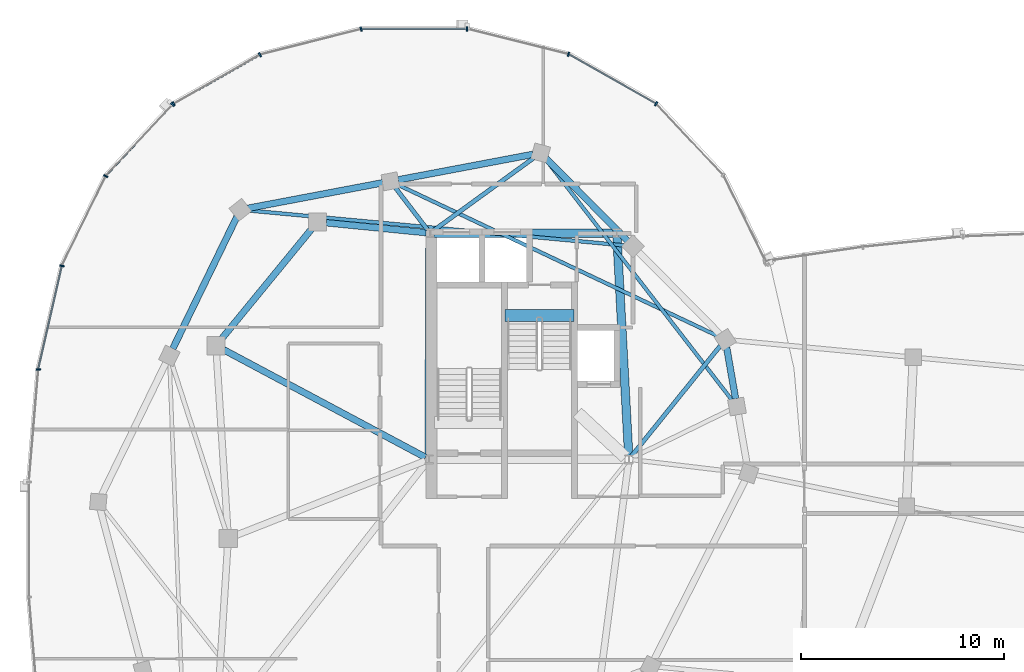
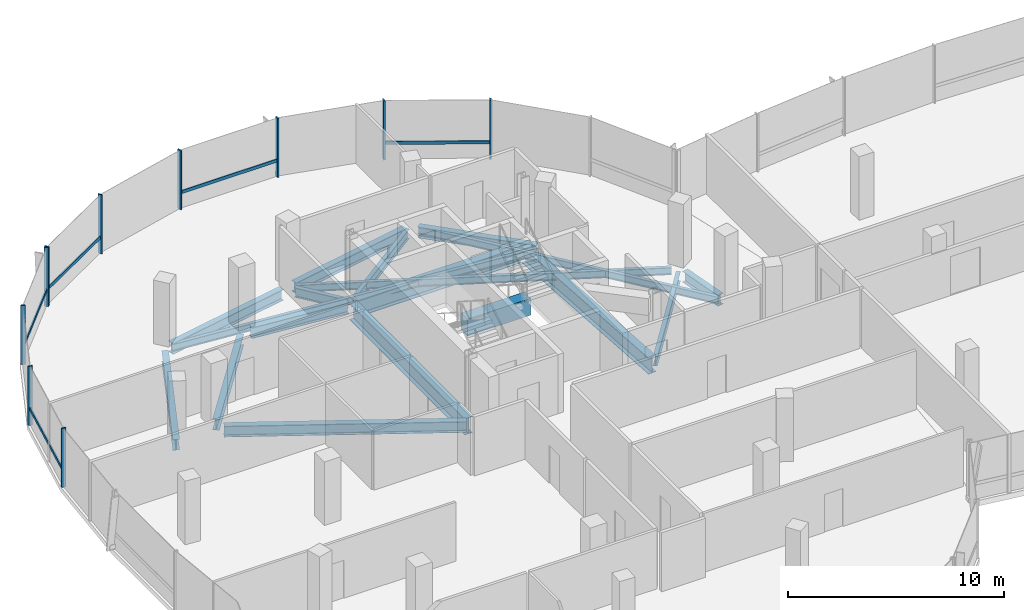
# One storey, part 6 of 25: 18 beams, 15 members, 2 elements without a shape of their own.
"""IFC4 building model written with IfcOpenShell, lengths in metres."""

from ifc_helpers import new_model, si_unit, direction, frame, origin, origin_2d, place, context, subcontext, project, spatial, rectangle, i_section, extrude, material, material_profile, profile_set, type_object, element, aggregate, save


model = new_model("IFC4")

# Units and contexts
model_context = context("Model", 3, precision=1e-05, world=origin(), true_north=direction((0.0, 1.0)))
body_context = subcontext(model_context, "Body", "Model", "MODEL_VIEW")
ifc_project = project(units=[si_unit("LENGTHUNIT", "METRE"), si_unit("AREAUNIT", "SQUARE_METRE"), si_unit("VOLUMEUNIT", "CUBIC_METRE"), si_unit("PLANEANGLEUNIT", "RADIAN"), si_unit("MASSUNIT", "GRAM", prefix="KILO"), si_unit("THERMODYNAMICTEMPERATUREUNIT", "KELVIN"), si_unit("POWERUNIT", "WATT")], contexts=[model_context])

# Site, building, storey
site_placement = place(None, origin())
site = spatial("IfcSite", under=ifc_project, at=site_placement, CompositionType="ELEMENT")
building_placement = place(site_placement, origin())
building = spatial("IfcBuilding", under=site, at=building_placement, Name="Cundina Bronze Exchange", CompositionType="ELEMENT")
storey_placement = place(building_placement, frame((0.0, 0.0, 250.39990234375)))
storey = spatial("IfcBuildingStorey", under=building, at=storey_placement, Name="L66", CompositionType="ELEMENT", Elevation=250.39990234375)

# Beams
ifc_material_1 = material(Name="Concrete C60/75", Category="concrete")
ifc_material_profile_1 = material_profile(ifc_material_1, rectangle(XDim=0.60009765625, YDim=0.949951171875, at=origin_2d()), Name="RC600X950", Category="concrete")
ifc_profile_set_1 = profile_set([ifc_material_profile_1], Name="Concrete C60/75")
beam_type_1 = type_object("IfcBeamType", Name="BM-COUP-RC950", PredefinedType="LINTEL", material=ifc_profile_set_1)
beam_1_placement = place(storey_placement, frame((-27.56005859375, 10.97998046875, -0.474853515625), z_axis=(1.0, 0.0, 0.0), x_axis=(0.0, 1.0, 0.0)))
element("IfcBeam", 1, at=beam_1_placement, inside=storey, type_object=beam_type_1, Name="L66 Stair W2 Landing Header Beam", PredefinedType="LINTEL", context=body_context, shape_type="SweptSolid", body=[
    extrude(rectangle(XDim=0.60009765625, YDim=0.949951171875, at=origin_2d()), origin(), (0.0, 0.0, 1.0), 3.400146484375),
])
ifc_material_2 = material(Name="Steel ASTM A992 Grade 50", Category="steel")
ifc_material_profile_2 = material_profile(ifc_material_2, i_section(OverallWidth=0.2119140625, OverallDepth=0.5439453125, WebThickness=0.01318359375, FlangeThickness=0.021240234375, FilletRadius=0.013916015625, at=origin_2d()), Name="W21X83", Category="steel")
ifc_profile_set_2 = profile_set([ifc_material_profile_2], Name="Steel ASTM A992 Grade 50")
beam_type_2 = type_object("IfcBeamType", Name="BM-FLR-W21A", PredefinedType="BEAM", material=ifc_profile_set_2)
beam_2_placement = place(storey_placement, frame((-21.3271484375, 4.052734375, -0.531982421875), z_axis=(0.627111236784, 0.778929712297, 0.0), x_axis=(-0.778929712297, 0.627111236784, 0.0)))
element("IfcBeam", 2, at=beam_2_placement, inside=storey, type_object=beam_type_2, Name="L66 Leg W Radial Floor Beam 02", PredefinedType="BEAM", context=body_context, shape_type="SweptSolid", body=[
    extrude(i_section(OverallWidth=0.2119140625, OverallDepth=0.5439453125, WebThickness=0.01318359375, FlangeThickness=0.021240234375, FilletRadius=0.013916015625, at=origin_2d()), origin(), (0.0, 0.0, 1.0), 6.990478515625),
])
beam_3_placement = place(storey_placement, frame((-31.09130859375, 15.1650390625, -0.531982421875), z_axis=(0.809701976545, 0.586841298119, 0.0), x_axis=(-0.586841298119, 0.809701976545, 0.0)))
element("IfcBeam", 3, at=beam_3_placement, inside=storey, type_object=beam_type_2, Name="L66 Leg W Radial Floor Beam 04", PredefinedType="BEAM", context=body_context, shape_type="SweptSolid", body=[
    extrude(i_section(OverallWidth=0.2119140625, OverallDepth=0.5439453125, WebThickness=0.01318359375, FlangeThickness=0.021240234375, FilletRadius=0.013916015625, at=origin_2d()), origin(), (0.0, 0.0, 1.0), 6.146728515625),
])
beam_4_placement = place(storey_placement, frame((-31.369140625, 15.205810546875, -0.531982421875), z_axis=(-0.607470812638, 0.794341999263, 0.0), x_axis=(-0.794341999263, -0.607470812638, 0.0)))
element("IfcBeam", 4, at=beam_4_placement, inside=storey, type_object=beam_type_2, Name="L66 Leg W Radial Floor Beam 05", PredefinedType="BEAM", context=body_context, shape_type="SweptSolid", body=[
    extrude(i_section(OverallWidth=0.2119140625, OverallDepth=0.5439453125, WebThickness=0.01318359375, FlangeThickness=0.021240234375, FilletRadius=0.013916015625, at=origin_2d()), origin(), (0.0, 0.0, 1.0), 2.6259765625),
])
ifc_material_profile_3 = material_profile(ifc_material_2, i_section(OverallWidth=0.178955078125, OverallDepth=0.409912109375, WebThickness=0.0087890625, FlangeThickness=0.014404296875, FilletRadius=0.010986328125, at=origin_2d()), Name="W16X45", Category="steel")
ifc_profile_set_3 = profile_set([ifc_material_profile_3], Name="Steel ASTM A992 Grade 50")
beam_type_3 = type_object("IfcBeamType", Name="BM-JST-W16", PredefinedType="JOIST", material=ifc_profile_set_3)
beam_5_placement = place(storey_placement, frame((-16.362548828125, 6.806884765625, -0.46484375), z_axis=(-0.612077855816, 0.790797507849, 0.0), x_axis=(-0.790797507849, -0.612077855816, 0.0)))
element("IfcBeam", 5, at=beam_5_placement, inside=storey, type_object=beam_type_3, Name="L66 Leg W Lobe Floor Joist 01-04", PredefinedType="JOIST", context=body_context, shape_type="SweptSolid", body=[
    extrude(i_section(OverallWidth=0.178955078125, OverallDepth=0.409912109375, WebThickness=0.0087890625, FlangeThickness=0.014404296875, FilletRadius=0.010986328125, at=origin_2d()), origin(), (0.0, 0.0, 1.0), 15.03076171875),
])
beam_6_placement = place(storey_placement, frame((-17.05078125, 9.9658203125, -0.46484375), z_axis=(-0.904073247994, 0.427377540661, 0.0), x_axis=(-0.427377540661, -0.904073247994, 0.0)))
element("IfcBeam", 6, at=beam_6_placement, inside=storey, type_object=beam_type_3, Name="L66 Leg W Lobe Floor Joist 02-05", PredefinedType="JOIST", context=body_context, shape_type="SweptSolid", body=[
    extrude(i_section(OverallWidth=0.178955078125, OverallDepth=0.409912109375, WebThickness=0.0087890625, FlangeThickness=0.014404296875, FilletRadius=0.010986328125, at=origin_2d()), origin(), (0.0, 0.0, 1.0), 17.474609375),
])
beam_7_placement = place(storey_placement, frame((-21.63623046875, 14.435791015625, -0.46484375), z_axis=(-0.995700514338, 0.092630911398, 0.0), x_axis=(-0.092630911398, -0.995700514338, 0.0)))
element("IfcBeam", 7, at=beam_7_placement, inside=storey, type_object=beam_type_3, Name="L66 Leg W Lobe Floor Joist 03-06", PredefinedType="JOIST", context=body_context, shape_type="SweptSolid", body=[
    extrude(i_section(OverallWidth=0.178955078125, OverallDepth=0.409912109375, WebThickness=0.0087890625, FlangeThickness=0.014404296875, FilletRadius=0.010986328125, at=origin_2d()), origin(), (0.0, 0.0, 1.0), 18.65771484375),
])
ifc_material_profile_4 = material_profile(ifc_material_2, i_section(OverallWidth=0.324951171875, OverallDepth=0.615966796875, WebThickness=0.013916015625, FlangeThickness=0.021484375, FilletRadius=0.01611328125, at=origin_2d()), Name="W24X117", Category="steel")
ifc_profile_set_4 = profile_set([ifc_material_profile_4], Name="Steel ASTM A992 Grade 50")
beam_type_4 = type_object("IfcBeamType", Name="BM-RING-W24", PredefinedType="USERDEFINED", material=ifc_profile_set_4)
beam_8_placement = place(storey_placement, frame((-31.445068359375, 15.0693359375, -0.56787109375), z_axis=(-0.995123854478, 0.09863323096, 0.0), x_axis=(-0.09863323096, -0.995123854478, 0.0)))
element("IfcBeam", 8, at=beam_8_placement, inside=storey, type_object=beam_type_4, Name="L66 W Inner Structural Ring Girder 01", ObjectType="GIRDER", PredefinedType="USERDEFINED", context=body_context, shape_type="SweptSolid", body=[
    extrude(i_section(OverallWidth=0.324951171875, OverallDepth=0.615966796875, WebThickness=0.013916015625, FlangeThickness=0.021484375, FilletRadius=0.01611328125, at=origin_2d()), origin(), (0.0, 0.0, 1.0), 4.943115234375),
])
beam_9_placement = place(storey_placement, frame((-37.07763671875, 15.26123046875, -0.56787109375), z_axis=(-0.633912590175, -0.77340469873, 0.0), x_axis=(0.77340469873, -0.633912590175, 0.0)))
element("IfcBeam", 9, at=beam_9_placement, inside=storey, type_object=beam_type_4, Name="L66 W Inner Structural Ring Girder 02", ObjectType="GIRDER", PredefinedType="USERDEFINED", context=body_context, shape_type="SweptSolid", body=[
    extrude(i_section(OverallWidth=0.324951171875, OverallDepth=0.615966796875, WebThickness=0.013916015625, FlangeThickness=0.021484375, FilletRadius=0.01611328125, at=origin_2d()), origin(), (0.0, 0.0, 1.0), 7.01123046875),
])
beam_10_placement = place(storey_placement, frame((-31.472900390625, 3.9921875, -0.56787109375), z_axis=(-0.882350541683, 0.470592734317, 0.0), x_axis=(-0.470592734317, -0.882350541683, 0.0)))
element("IfcBeam", 10, at=beam_10_placement, inside=storey, type_object=beam_type_4, Name="L66 W Core-to-Waist Tie Beam 2", ObjectType="GIRDER", PredefinedType="USERDEFINED", context=body_context, shape_type="SweptSolid", body=[
    extrude(i_section(OverallWidth=0.324951171875, OverallDepth=0.615966796875, WebThickness=0.013916015625, FlangeThickness=0.021484375, FilletRadius=0.01611328125, at=origin_2d()), origin(), (0.0, 0.0, 1.0), 11.26611328125),
])
beam_11_placement = place(storey_placement, frame((-16.191650390625, 6.882080078125, -0.56787109375), z_axis=(-0.171593362587, 0.985167862811, 0.0), x_axis=(-0.985167862811, -0.171593362587, 0.0)))
element("IfcBeam", 11, at=beam_11_placement, inside=storey, type_object=beam_type_4, Name="L66 W Perimeter Ring Girder 01", ObjectType="GIRDER", PredefinedType="USERDEFINED", context=body_context, shape_type="SweptSolid", body=[
    extrude(i_section(OverallWidth=0.324951171875, OverallDepth=0.615966796875, WebThickness=0.013916015625, FlangeThickness=0.021484375, FilletRadius=0.01611328125, at=origin_2d()), origin(), (0.0, 0.0, 1.0), 2.57373046875),
])
beam_12_placement = place(storey_placement, frame((-21.52294921875, 14.67578125, -0.56787109375), z_axis=(-0.703215820204, 0.710976448425, 0.0), x_axis=(-0.710976448425, -0.703215820204, 0.0)))
element("IfcBeam", 12, at=beam_12_placement, inside=storey, type_object=beam_type_4, Name="L66 W Perimeter Ring Girder 03", ObjectType="GIRDER", PredefinedType="USERDEFINED", context=body_context, shape_type="SweptSolid", body=[
    extrude(i_section(OverallWidth=0.324951171875, OverallDepth=0.615966796875, WebThickness=0.013916015625, FlangeThickness=0.021484375, FilletRadius=0.01611328125, at=origin_2d()), origin(), (0.0, 0.0, 1.0), 5.694091796875),
])
beam_13_placement = place(storey_placement, frame((-26.18115234375, 18.927978515625, -0.56787109375), z_axis=(-0.982568104771, -0.185902984072, 0.0), x_axis=(0.185902984072, -0.982568104771, 0.0)))
element("IfcBeam", 13, at=beam_13_placement, inside=storey, type_object=beam_type_4, Name="L66 W Perimeter Ring Girder 04", ObjectType="GIRDER", PredefinedType="USERDEFINED", context=body_context, shape_type="SweptSolid", body=[
    extrude(i_section(OverallWidth=0.324951171875, OverallDepth=0.615966796875, WebThickness=0.013916015625, FlangeThickness=0.021484375, FilletRadius=0.01611328125, at=origin_2d()), origin(), (0.0, 0.0, 1.0), 6.75537109375),
])
beam_14_placement = place(storey_placement, frame((-33.581298828125, 17.52783203125, -0.56787109375), z_axis=(-0.982573456977, -0.185874693392, 0.0), x_axis=(0.185874693392, -0.982573456977, 0.0)))
element("IfcBeam", 14, at=beam_14_placement, inside=storey, type_object=beam_type_4, Name="L66 W Perimeter Ring Girder 05", ObjectType="GIRDER", PredefinedType="USERDEFINED", context=body_context, shape_type="SweptSolid", body=[
    extrude(i_section(OverallWidth=0.324951171875, OverallDepth=0.615966796875, WebThickness=0.013916015625, FlangeThickness=0.021484375, FilletRadius=0.01611328125, at=origin_2d()), origin(), (0.0, 0.0, 1.0), 6.755126953125),
])
beam_15_placement = place(storey_placement, frame((-40.76953125, 15.85107421875, -0.56787109375), z_axis=(-0.437216986791, -0.899356050995, 0.0), x_axis=(0.899356050995, -0.437216986791, 0.0)))
element("IfcBeam", 15, at=beam_15_placement, inside=storey, type_object=beam_type_4, Name="L66 W Perimeter Ring Girder 06", ObjectType="GIRDER", PredefinedType="USERDEFINED", context=body_context, shape_type="SweptSolid", body=[
    extrude(i_section(OverallWidth=0.324951171875, OverallDepth=0.615966796875, WebThickness=0.013916015625, FlangeThickness=0.021484375, FilletRadius=0.01611328125, at=origin_2d()), origin(), (0.0, 0.0, 1.0), 7.2294921875),
])
ifc_material_profile_5 = material_profile(ifc_material_2, i_section(OverallWidth=0.41796875, OverallDepth=0.927001953125, WebThickness=0.019287109375, FlangeThickness=0.031982421875, FilletRadius=0.02392578125, at=origin_2d()), Name="W36X231", Category="steel")
ifc_profile_set_5 = profile_set([ifc_material_profile_5], Name="Steel ASTM A992 Grade 50")
beam_type_5 = type_object("IfcBeamType", Name="BM-WRN-W36B", PredefinedType="USERDEFINED", material=ifc_profile_set_5)
beam_16_placement = place(storey_placement, frame((-21.46044921875, 4.095703125, -0.723388671875), z_axis=(-0.053749317644, 0.998554460634, 0.0), x_axis=(-0.998554460634, -0.053749317644, 0.0)))
element("IfcBeam", 16, at=beam_16_placement, inside=storey, type_object=beam_type_5, Name="L66 W Core Perimeter Tie Girder 2", ObjectType="GIRDER", PredefinedType="USERDEFINED", context=body_context, shape_type="SweptSolid", body=[
    extrude(i_section(OverallWidth=0.41796875, OverallDepth=0.927001953125, WebThickness=0.019287109375, FlangeThickness=0.031982421875, FilletRadius=0.02392578125, at=origin_2d()), origin(), (0.0, 0.0, 1.0), 10.774169921875),
])
beam_17_placement = place(storey_placement, frame((-22.24609375, 15.050048828125, -0.723388671875), z_axis=(-1.0, 0.0, 0.0), x_axis=(0.0, -1.0, 0.0)))
element("IfcBeam", 17, at=beam_17_placement, inside=storey, type_object=beam_type_5, Name="L66 W Core Perimeter Tie Girder 3", ObjectType="GIRDER", PredefinedType="USERDEFINED", context=body_context, shape_type="SweptSolid", body=[
    extrude(i_section(OverallWidth=0.41796875, OverallDepth=0.927001953125, WebThickness=0.019287109375, FlangeThickness=0.031982421875, FilletRadius=0.02392578125, at=origin_2d()), origin(), (0.0, 0.0, 1.0), 8.807861328125),
])
beam_18_placement = place(storey_placement, frame((-31.2509765625, 14.85400390625, -0.723388671875), z_axis=(-0.004470623654, -0.999990006712, 0.0), x_axis=(0.999990006712, -0.004470623654, 0.0)))
element("IfcBeam", 18, at=beam_18_placement, inside=storey, type_object=beam_type_5, Name="L66 W Core Perimeter Tie Girder 4", ObjectType="GIRDER", PredefinedType="USERDEFINED", context=body_context, shape_type="SweptSolid", body=[
    extrude(i_section(OverallWidth=0.41796875, OverallDepth=0.927001953125, WebThickness=0.019287109375, FlangeThickness=0.031982421875, FilletRadius=0.02392578125, at=origin_2d()), origin(), (0.0, 0.0, 1.0), 10.758056640625),
])

# Curtain wall, members
ifc_material_3 = material(Name="Anodised Bronze Aluminium 6063-T6", Category="aluminium")
curtain_wall_type = type_object("IfcCurtainWallType", Name="CWS-SKG-BRG", PredefinedType="NOTDEFINED", material=ifc_material_3)
curtain_wall_1_placement = place(storey_placement, origin())
curtain_wall_1 = element("IfcCurtainWall", 19, at=curtain_wall_1_placement, inside=storey, type_object=curtain_wall_type, Name="L66 CW-06 Curtain Wall Run CWR-L66-W1", PredefinedType="NOTDEFINED")
ifc_material_profile_6 = material_profile(ifc_material_3, rectangle(XDim=0.074951171875, YDim=0.219970703125, at=origin_2d()), Name="AL75X220", Category="aluminium")
ifc_profile_set_6 = profile_set([ifc_material_profile_6], Name="Anodised Bronze Aluminium 6063-T6")
member_type_1 = type_object("IfcMemberType", Name="CWM-MUL-220", PredefinedType="MULLION", material=ifc_profile_set_6)
member_1_placement = place(storey_placement, frame((-20.11083984375, 21.419921875, 0.0), z_axis=(0.0, 0.0, 1.0), x_axis=(-0.86958112538, 0.493790103568, 0.0)))
member_1 = element("IfcMember", 20, at=member_1_placement, type_object=member_type_1, Name="CW-06 Mullion 3", PredefinedType="MULLION", context=body_context, shape_type="SweptSolid", body=[
    extrude(rectangle(XDim=0.074951171875, YDim=0.219970703125, at=origin_2d()), origin(), (0.0, 0.0, 1.0), 3.340087890625),
])
member_2_placement = place(storey_placement, frame((-24.4296875, 23.86181640625, 0.0), z_axis=(0.0, 0.0, 1.0), x_axis=(-0.969744325821, 0.244122802168, 0.0)))
member_2 = element("IfcMember", 21, at=member_2_placement, type_object=member_type_1, Name="CW-06 Mullion 4", PredefinedType="MULLION", context=body_context, shape_type="SweptSolid", body=[
    extrude(rectangle(XDim=0.074951171875, YDim=0.219970703125, at=origin_2d()), origin(), (0.0, 0.0, 1.0), 3.340087890625),
])
member_3_placement = place(storey_placement, frame((-29.423583984375, 25.110107421875, 0.0), z_axis=(0.0, 0.0, 1.0), x_axis=(-1.0, 0.0, 0.0)))
member_3 = element("IfcMember", 22, at=member_3_placement, type_object=member_type_1, Name="CW-06 Mullion 5", PredefinedType="MULLION", context=body_context, shape_type="SweptSolid", body=[
    extrude(rectangle(XDim=0.074951171875, YDim=0.219970703125, at=origin_2d()), origin(), (0.0, 0.0, 1.0), 3.340087890625),
])
member_4_placement = place(storey_placement, frame((-34.648193359375, 25.10107421875, 0.0), z_axis=(0.0, 0.0, 1.0), x_axis=(-0.969744325821, -0.244122802168, 0.0)))
member_4 = element("IfcMember", 23, at=member_4_placement, type_object=member_type_1, Name="CW-06 Mullion 6", PredefinedType="MULLION", context=body_context, shape_type="SweptSolid", body=[
    extrude(rectangle(XDim=0.074951171875, YDim=0.219970703125, at=origin_2d()), origin(), (0.0, 0.0, 1.0), 3.340087890625),
])
member_5_placement = place(storey_placement, frame((-39.634521484375, 23.8359375, 0.0), z_axis=(0.0, 0.0, 1.0), x_axis=(-0.86958112538, -0.493790103568, 0.0)))
member_5 = element("IfcMember", 24, at=member_5_placement, type_object=member_type_1, Name="CW-06 Mullion 7", PredefinedType="MULLION", context=body_context, shape_type="SweptSolid", body=[
    extrude(rectangle(XDim=0.074951171875, YDim=0.219970703125, at=origin_2d()), origin(), (0.0, 0.0, 1.0), 3.340087890625),
])
member_6_placement = place(storey_placement, frame((-43.88916015625, 21.419921875, 0.0), z_axis=(0.0, 0.0, 1.0), x_axis=(-0.86958112538, -0.493790103568, 0.0)))
member_6 = element("IfcMember", 25, at=member_6_placement, type_object=member_type_1, Name="CW-06 End Mullion", PredefinedType="MULLION", context=body_context, shape_type="SweptSolid", body=[
    extrude(rectangle(XDim=0.074951171875, YDim=0.219970703125, at=origin_2d()), origin(), (0.0, 0.0, 1.0), 3.340087890625),
])

curtain_wall_2_placement = place(storey_placement, origin())
curtain_wall_2 = element("IfcCurtainWall", 26, at=curtain_wall_2_placement, inside=storey, type_object=curtain_wall_type, Name="L66 CW-06 Curtain Wall Run CWR-L66-W2", PredefinedType="NOTDEFINED")
member_7_placement = place(storey_placement, frame((-43.940185546875, 21.3798828125, 0.0), z_axis=(0.0, 0.0, 1.0), x_axis=(-0.684292606175, -0.729207535023, 0.0)))
member_7 = element("IfcMember", 27, at=member_7_placement, type_object=member_type_1, Name="CW-06 Mullion 1", PredefinedType="MULLION", context=body_context, shape_type="SweptSolid", body=[
    extrude(rectangle(XDim=0.074951171875, YDim=0.219970703125, at=origin_2d()), origin(), (0.0, 0.0, 1.0), 3.340087890625),
])
member_8_placement = place(storey_placement, frame((-47.2333984375, 17.856689453125, 0.0), z_axis=(0.0, 0.0, 1.0), x_axis=(-0.440566004113, -0.897720221461, 0.0)))
member_8 = element("IfcMember", 28, at=member_8_placement, type_object=member_type_1, Name="CW-06 Mullion 2", PredefinedType="MULLION", context=body_context, shape_type="SweptSolid", body=[
    extrude(rectangle(XDim=0.074951171875, YDim=0.219970703125, at=origin_2d()), origin(), (0.0, 0.0, 1.0), 3.340087890625),
])
member_9_placement = place(storey_placement, frame((-49.39404296875, 13.433837890625, 0.0), z_axis=(0.0, 0.0, 1.0), x_axis=(-0.223250116011, -0.974761194191, 0.0)))
member_9 = element("IfcMember", 29, at=member_9_placement, type_object=member_type_1, Name="CW-06 Mullion 3", PredefinedType="MULLION", context=body_context, shape_type="SweptSolid", body=[
    extrude(rectangle(XDim=0.074951171875, YDim=0.219970703125, at=origin_2d()), origin(), (0.0, 0.0, 1.0), 3.340087890625),
])
member_10_placement = place(storey_placement, frame((-50.557861328125, 8.32568359375, 0.0), z_axis=(0.0, 0.0, 1.0), x_axis=(-0.083677843332, -0.99649285925, 0.0)))
member_10 = element("IfcMember", 30, at=member_10_placement, type_object=member_type_1, Name="CW-06 Mullion 4", PredefinedType="MULLION", context=body_context, shape_type="SweptSolid", body=[
    extrude(rectangle(XDim=0.074951171875, YDim=0.219970703125, at=origin_2d()), origin(), (0.0, 0.0, 1.0), 3.340087890625),
])

# Member
ifc_material_profile_7 = material_profile(ifc_material_3, rectangle(XDim=0.070068359375, YDim=0.179931640625, at=origin_2d()), Name="AL70X180", Category="aluminium")
ifc_profile_set_7 = profile_set([ifc_material_profile_7], Name="Anodised Bronze Aluminium 6063-T6")
member_type_2 = type_object("IfcMemberType", Name="CWM-TRN-180", PredefinedType="USERDEFINED", material=ifc_profile_set_7)
member_11_placement = place(storey_placement, frame((-20.146728515625, 21.440185546875, 0.920166015625), z_axis=(-0.869557366176, 0.493831941989, 0.0), x_axis=(-0.493831941989, -0.869557366176, 0.0)))
member_11 = element("IfcMember", 31, at=member_11_placement, type_object=member_type_2, Name="CW-06 Spandrel Transom 3", ObjectType="TRANSOM", PredefinedType="USERDEFINED", context=body_context, shape_type="SweptSolid", body=[
    extrude(rectangle(XDim=0.070068359375, YDim=0.179931640625, at=origin_2d()), origin(), (0.0, 0.0, 1.0), 4.892822265625),
])

member_12_placement = place(storey_placement, frame((-29.464599609375, 25.110107421875, 0.920166015625), z_axis=(-1.0, 0.0, 0.0), x_axis=(0.0, -1.0, 0.0)))
member_12 = element("IfcMember", 32, at=member_12_placement, type_object=member_type_2, Name="CW-06 Spandrel Transom 5", ObjectType="TRANSOM", PredefinedType="USERDEFINED", context=body_context, shape_type="SweptSolid", body=[
    extrude(rectangle(XDim=0.070068359375, YDim=0.179931640625, at=origin_2d()), origin(), (0.0, 0.0, 1.0), 5.1533203125),
])

member_13_placement = place(storey_placement, frame((-39.67041015625, 23.815673828125, 0.920166015625), z_axis=(-0.869558105282, -0.493830640542, 0.0), x_axis=(0.493830640542, -0.869558105282, 0.0)))
member_13 = element("IfcMember", 33, at=member_13_placement, type_object=member_type_2, Name="CW-06 Spandrel Transom 7", ObjectType="TRANSOM", PredefinedType="USERDEFINED", context=body_context, shape_type="SweptSolid", body=[
    extrude(rectangle(XDim=0.070068359375, YDim=0.179931640625, at=origin_2d()), origin(), (0.0, 0.0, 1.0), 4.810302734375),
])

aggregate(curtain_wall_1, [member_1, member_11, member_2, member_3, member_12, member_4, member_5, member_6, member_13])

member_14_placement = place(storey_placement, frame((-43.968505859375, 21.349609375, 0.920166015625), z_axis=(-0.684328474899, -0.729173873944, 0.0), x_axis=(0.729173873944, -0.684328474899, 0.0)))
member_14 = element("IfcMember", 34, at=member_14_placement, type_object=member_type_2, Name="CW-06 Spandrel Transom 1", ObjectType="TRANSOM", PredefinedType="USERDEFINED", context=body_context, shape_type="SweptSolid", body=[
    extrude(rectangle(XDim=0.070068359375, YDim=0.179931640625, at=origin_2d()), origin(), (0.0, 0.0, 1.0), 4.758056640625),
])

member_15_placement = place(storey_placement, frame((-49.4033203125, 13.3935546875, 0.920166015625), z_axis=(-0.223257048806, -0.974759606343, 0.0), x_axis=(0.974759606343, -0.223257048806, 0.0)))
member_15 = element("IfcMember", 35, at=member_15_placement, type_object=member_type_2, Name="CW-06 Spandrel Transom 3", ObjectType="TRANSOM", PredefinedType="USERDEFINED", context=body_context, shape_type="SweptSolid", body=[
    extrude(rectangle(XDim=0.070068359375, YDim=0.179931640625, at=origin_2d()), origin(), (0.0, 0.0, 1.0), 5.15283203125),
])

aggregate(curtain_wall_2, [member_7, member_14, member_8, member_9, member_15, member_10])

save(model, "model.ifc")
